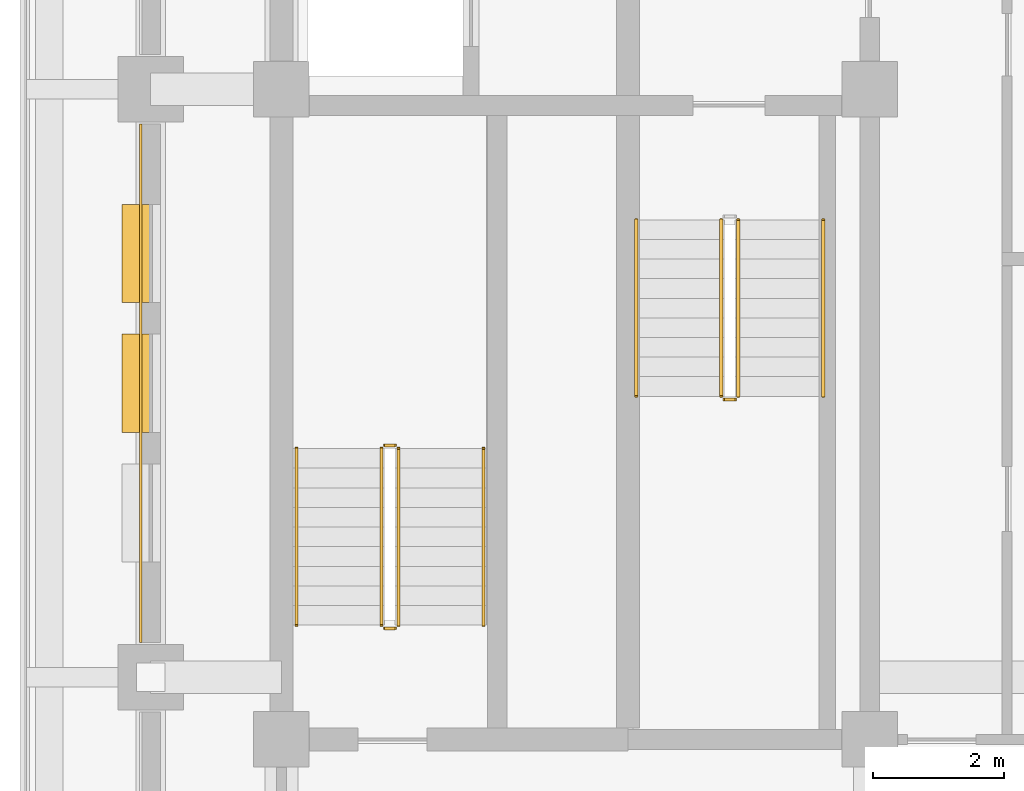
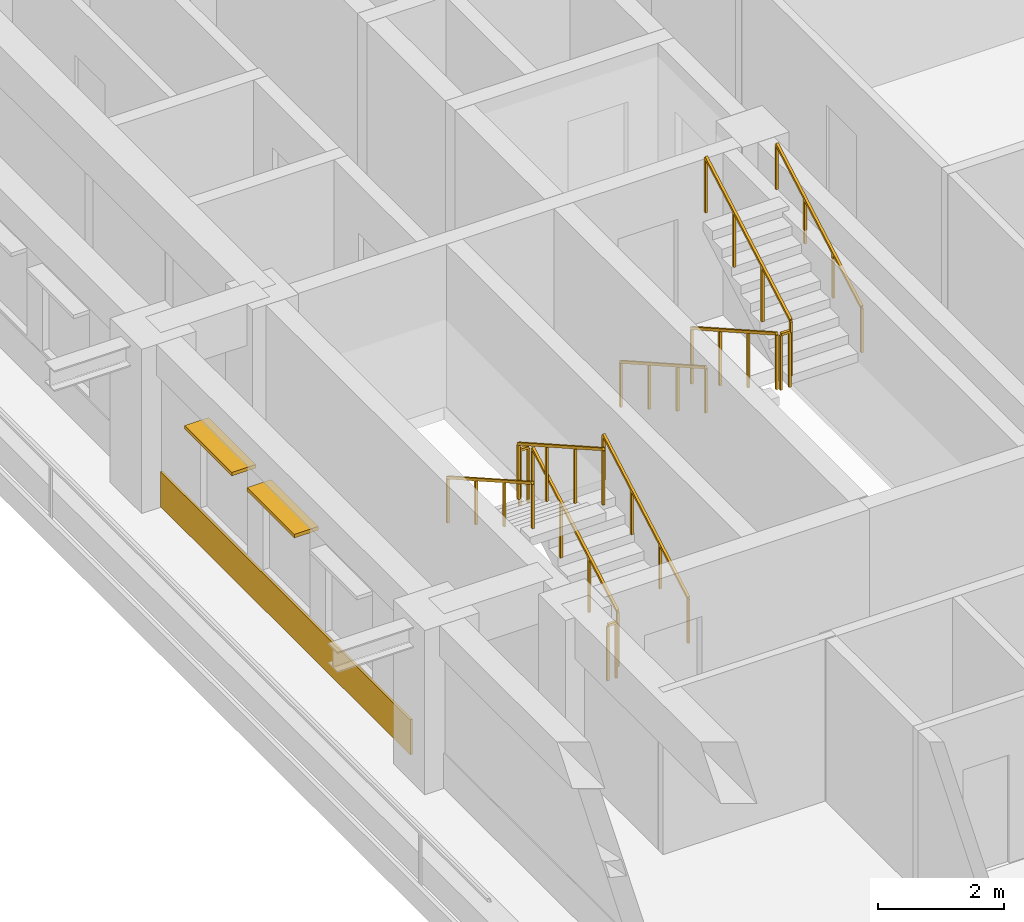
# One storey, part 9 of 13: 11 railings, 2 shading devices, 1 covering.
"""IFC4 building model written with IfcOpenShell, lengths in metres."""

from ifc_helpers import new_model, si_unit, direction, frame, frame_2d, origin, origin_2d, place, context, subcontext, project, spatial, rectangle, extrude, material, layer, layer_set, type_object, element, save


model = new_model("IFC4")

# Units and contexts
model_context = context("Model", 3, precision=1e-05, world=origin(), true_north=direction((0.0, 1.0)))
body_context = subcontext(model_context, "Body", "Model", "MODEL_VIEW")
ifc_project = project(units=[si_unit("LENGTHUNIT", "METRE"), si_unit("AREAUNIT", "SQUARE_METRE"), si_unit("VOLUMEUNIT", "CUBIC_METRE"), si_unit("PLANEANGLEUNIT", "RADIAN"), si_unit("MASSUNIT", "GRAM", prefix="KILO")], contexts=[model_context])

# Site, building, storey
site_placement = place(None, origin())
site = spatial("IfcSite", under=ifc_project, at=site_placement, CompositionType="ELEMENT")
building_placement = place(site_placement, origin())
building = spatial("IfcBuilding", under=site, at=building_placement, Name="Zulmaris Gate Convention Tower", CompositionType="ELEMENT")
storey_placement = place(building_placement, frame((0.0, 0.0, 176.259765625)))
storey = spatial("IfcBuildingStorey", under=building, at=storey_placement, Name="L45", CompositionType="ELEMENT", Elevation=176.259765625)

# Covering
ifc_material_1 = material(Name="Precast concrete C40/50", Category="concrete")
ifc_layer_1 = layer(ifc_material_1, 0.0400390625, Name="Precast concrete C40/50")
ifc_layer_set_1 = layer_set([ifc_layer_1], Name="Precast concrete C40/50")
covering_type = type_object("IfcCoveringType", Name="CLAD-SPANDREL-PRECAST", PredefinedType="CLADDING", material=ifc_layer_set_1)
covering_placement = place(storey_placement, frame((-22.14990234375, -0.530029296875, 0.0), z_axis=(0.0, 0.0, 1.0), x_axis=(0.0, -1.0, 0.0)))
element("IfcCovering", 1, at=covering_placement, inside=storey, type_object=covering_type, Name="CLD-L45-W-1_0", PredefinedType="CLADDING", context=body_context, shape_type="SweptSolid", body=[
    extrude(rectangle(XDim=7.93994140625, YDim=0.0400390625, at=frame_2d((3.969970703125, 0.0))), origin(), (0.0, 0.0, 1.0), 0.679931640625),
])

# Railings
ifc_material_2 = material(Name="Painted Galvanised Steel", Category="steel")
railing_type_1 = type_object("IfcRailingType", Name="RL-STG-1150", PredefinedType="GUARDRAIL", material=ifc_material_2)
railing_1_placement = place(storey_placement, frame((-13.27001953125, -2.0, 0.169921875)))
element("IfcRailing", 2, at=railing_1_placement, inside=storey, type_object=railing_type_1, Name="L45 ST-1 stair guard 1", PredefinedType="GUARDRAIL", context=body_context, shape_type="SweptSolid", body=[
    extrude(rectangle(XDim=0.048095703125, YDim=0.048095703125, at=origin_2d()), frame((0.0, 0.0, 1.076171875), z_axis=(0.0, -0.869980566543, 0.493086010588), x_axis=(1.0, 0.0, 0.0)), (0.0, 0.0, 1.0), 3.103515625),
    extrude(rectangle(XDim=0.0419921875, YDim=0.0419921875, at=origin_2d()), origin(), (0.0, 0.0, 1.0), 1.052001953125),
    extrude(rectangle(XDim=0.0419921875, YDim=0.0419921875, at=origin_2d()), frame((0.0, -0.89990234375, 0.510009765625)), (0.0, 0.0, 1.0), 1.052001953125),
    extrude(rectangle(XDim=0.0419921875, YDim=0.0419921875, at=origin_2d()), frame((0.0, -1.800048828125, 1.020263671875)), (0.0, 0.0, 1.0), 1.052001953125),
    extrude(rectangle(XDim=0.0419921875, YDim=0.0419921875, at=origin_2d()), frame((0.0, -2.699951171875, 1.5302734375)), (0.0, 0.0, 1.0), 1.052001953125),
])
railing_2_placement = place(storey_placement, frame((-13.219970703125, -4.75, 1.7001953125)))
element("IfcRailing", 3, at=railing_2_placement, inside=storey, type_object=railing_type_1, Name="L45 ST-1 stair guard 2", PredefinedType="GUARDRAIL", context=body_context, shape_type="SweptSolid", body=[
    extrude(rectangle(XDim=0.048095703125, YDim=0.048095703125, at=origin_2d()), frame((0.0, 0.0, 1.076171875), z_axis=(1.0, 0.0, 0.0), x_axis=(0.0, 1.0, 0.0)), (0.0, 0.0, 1.0), 0.159912109375),
    extrude(rectangle(XDim=0.0419921875, YDim=0.0419921875, at=origin_2d()), origin(), (0.0, 0.0, 1.0), 1.052001953125),
    extrude(rectangle(XDim=0.0419921875, YDim=0.0419921875, at=origin_2d()), frame((0.159912109375, 0.0, 0.0)), (0.0, 0.0, 1.0), 1.052001953125),
])
railing_3_placement = place(storey_placement, frame((-13.010009765625, -4.699951171875, 1.8701171875)))
element("IfcRailing", 4, at=railing_3_placement, inside=storey, type_object=railing_type_1, Name="L45 ST-1 stair guard 3", PredefinedType="GUARDRAIL", context=body_context, shape_type="SweptSolid", body=[
    extrude(rectangle(XDim=0.048095703125, YDim=0.048095703125, at=origin_2d()), frame((0.0, 0.0, 1.076171875), z_axis=(0.0, 0.870014312096, 0.49302646658), x_axis=(-1.0, 0.0, 0.0)), (0.0, 0.0, 1.0), 3.103271484375),
    extrude(rectangle(XDim=0.0419921875, YDim=0.0419921875, at=origin_2d()), origin(), (0.0, 0.0, 1.0), 1.052001953125),
    extrude(rectangle(XDim=0.0419921875, YDim=0.0419921875, at=origin_2d()), frame((0.0, 0.89990234375, 0.510009765625)), (0.0, 0.0, 1.0), 1.052001953125),
    extrude(rectangle(XDim=0.0419921875, YDim=0.0419921875, at=origin_2d()), frame((0.0, 1.800048828125, 1.02001953125)), (0.0, 0.0, 1.0), 1.052001953125),
    extrude(rectangle(XDim=0.0419921875, YDim=0.0419921875, at=origin_2d()), frame((0.0, 2.699951171875, 1.530029296875)), (0.0, 0.0, 1.0), 1.052001953125),
])
railing_4_placement = place(storey_placement, frame((-18.2099609375, -8.199951171875, 0.169921875)))
element("IfcRailing", 5, at=railing_4_placement, inside=storey, type_object=railing_type_1, Name="L45 ST-3 stair guard 1", PredefinedType="GUARDRAIL", context=body_context, shape_type="SweptSolid", body=[
    extrude(rectangle(XDim=0.048095703125, YDim=0.048095703125, at=origin_2d()), frame((0.0, 0.0, 1.076171875), z_axis=(0.0, 0.869980566543, 0.493086010588), x_axis=(-1.0, 0.0, 0.0)), (0.0, 0.0, 1.0), 3.103515625),
    extrude(rectangle(XDim=0.0419921875, YDim=0.0419921875, at=origin_2d()), origin(), (0.0, 0.0, 1.0), 1.052001953125),
    extrude(rectangle(XDim=0.0419921875, YDim=0.0419921875, at=origin_2d()), frame((0.0, 0.89990234375, 0.510009765625)), (0.0, 0.0, 1.0), 1.052001953125),
    extrude(rectangle(XDim=0.0419921875, YDim=0.0419921875, at=origin_2d()), frame((0.0, 1.800048828125, 1.020263671875)), (0.0, 0.0, 1.0), 1.052001953125),
    extrude(rectangle(XDim=0.0419921875, YDim=0.0419921875, at=origin_2d()), frame((0.0, 2.699951171875, 1.5302734375)), (0.0, 0.0, 1.0), 1.052001953125),
])
railing_5_placement = place(storey_placement, frame((-18.260009765625, -5.449951171875, 1.7001953125)))
element("IfcRailing", 6, at=railing_5_placement, inside=storey, type_object=railing_type_1, Name="L45 ST-3 stair guard 2", PredefinedType="GUARDRAIL", context=body_context, shape_type="SweptSolid", body=[
    extrude(rectangle(XDim=0.048095703125, YDim=0.048095703125, at=origin_2d()), frame((0.0, 0.0, 1.076171875), z_axis=(-1.0, 0.0, 0.0), x_axis=(0.0, -1.0, 0.0)), (0.0, 0.0, 1.0), 0.159912109375),
    extrude(rectangle(XDim=0.0419921875, YDim=0.0419921875, at=origin_2d()), origin(), (0.0, 0.0, 1.0), 1.052001953125),
    extrude(rectangle(XDim=0.0419921875, YDim=0.0419921875, at=origin_2d()), frame((-0.159912109375, 0.0, 0.0)), (0.0, 0.0, 1.0), 1.052001953125),
])
railing_6_placement = place(storey_placement, frame((-18.469970703125, -5.5, 1.8701171875)))
element("IfcRailing", 7, at=railing_6_placement, inside=storey, type_object=railing_type_1, Name="L45 ST-3 stair guard 3", PredefinedType="GUARDRAIL", context=body_context, shape_type="SweptSolid", body=[
    extrude(rectangle(XDim=0.048095703125, YDim=0.048095703125, at=origin_2d()), frame((0.0, 0.0, 1.076171875), z_axis=(0.0, -0.870014312096, 0.49302646658), x_axis=(1.0, 0.0, 0.0)), (0.0, 0.0, 1.0), 3.103271484375),
    extrude(rectangle(XDim=0.0419921875, YDim=0.0419921875, at=origin_2d()), origin(), (0.0, 0.0, 1.0), 1.052001953125),
    extrude(rectangle(XDim=0.0419921875, YDim=0.0419921875, at=origin_2d()), frame((0.0, -0.89990234375, 0.510009765625)), (0.0, 0.0, 1.0), 1.052001953125),
    extrude(rectangle(XDim=0.0419921875, YDim=0.0419921875, at=origin_2d()), frame((0.0, -1.800048828125, 1.02001953125)), (0.0, 0.0, 1.0), 1.052001953125),
    extrude(rectangle(XDim=0.0419921875, YDim=0.0419921875, at=origin_2d()), frame((0.0, -2.699951171875, 1.530029296875)), (0.0, 0.0, 1.0), 1.052001953125),
])
railing_7_placement = place(storey_placement, frame((-18.260009765625, -8.25, 0.0)))
element("IfcRailing", 8, at=railing_7_placement, inside=storey, type_object=railing_type_1, Name="L45 ST-3 stair guard 4", PredefinedType="GUARDRAIL", context=body_context, shape_type="SweptSolid", body=[
    extrude(rectangle(XDim=0.048095703125, YDim=0.048095703125, at=origin_2d()), frame((0.0, 0.0, 1.076171875), z_axis=(-1.0, 0.0, 0.0), x_axis=(0.0, -1.0, 0.0)), (0.0, 0.0, 1.0), 0.159912109375),
    extrude(rectangle(XDim=0.0419921875, YDim=0.0419921875, at=origin_2d()), origin(), (0.0, 0.0, 1.0), 1.052001953125),
    extrude(rectangle(XDim=0.0419921875, YDim=0.0419921875, at=origin_2d()), frame((-0.159912109375, 0.0, 0.0)), (0.0, 0.0, 1.0), 1.052001953125),
])
ifc_material_3 = material(Name="Brushed Stainless Steel", Category="steel")
railing_type_2 = type_object("IfcRailingType", Name="RL-STH-900", PredefinedType="HANDRAIL", material=ifc_material_3)
railing_8_placement = place(storey_placement, frame((-14.570068359375, -2.0, 0.169921875)))
element("IfcRailing", 9, at=railing_8_placement, inside=storey, type_object=railing_type_2, Name="L45 ST-1 stair handrail 1", PredefinedType="HANDRAIL", context=body_context, shape_type="SweptSolid", body=[
    extrude(rectangle(XDim=0.048095703125, YDim=0.048095703125, at=origin_2d()), frame((0.0, 0.0, 0.8759765625), z_axis=(0.0, -0.869980566543, 0.493086010588), x_axis=(1.0, 0.0, 0.0)), (0.0, 0.0, 1.0), 3.103515625),
    extrude(rectangle(XDim=0.0419921875, YDim=0.0419921875, at=origin_2d()), origin(), (0.0, 0.0, 1.0), 0.851806640625),
    extrude(rectangle(XDim=0.0419921875, YDim=0.0419921875, at=origin_2d()), frame((0.0, -0.89990234375, 0.510009765625)), (0.0, 0.0, 1.0), 0.851806640625),
    extrude(rectangle(XDim=0.0419921875, YDim=0.0419921875, at=origin_2d()), frame((0.0, -1.800048828125, 1.020263671875)), (0.0, 0.0, 1.0), 0.851806640625),
    extrude(rectangle(XDim=0.0419921875, YDim=0.0419921875, at=origin_2d()), frame((0.0, -2.699951171875, 1.5302734375)), (0.0, 0.0, 1.0), 0.851806640625),
])
railing_9_placement = place(storey_placement, frame((-11.7099609375, -4.699951171875, 1.8701171875)))
element("IfcRailing", 10, at=railing_9_placement, inside=storey, type_object=railing_type_2, Name="L45 ST-1 stair handrail 2", PredefinedType="HANDRAIL", context=body_context, shape_type="SweptSolid", body=[
    extrude(rectangle(XDim=0.048095703125, YDim=0.048095703125, at=origin_2d()), frame((0.0, 0.0, 0.8759765625), z_axis=(0.0, 0.870014312096, 0.49302646658), x_axis=(-1.0, 0.0, 0.0)), (0.0, 0.0, 1.0), 3.103271484375),
    extrude(rectangle(XDim=0.0419921875, YDim=0.0419921875, at=origin_2d()), origin(), (0.0, 0.0, 1.0), 0.851806640625),
    extrude(rectangle(XDim=0.0419921875, YDim=0.0419921875, at=origin_2d()), frame((0.0, 0.89990234375, 0.510009765625)), (0.0, 0.0, 1.0), 0.851806640625),
    extrude(rectangle(XDim=0.0419921875, YDim=0.0419921875, at=origin_2d()), frame((0.0, 1.800048828125, 1.02001953125)), (0.0, 0.0, 1.0), 0.851806640625),
    extrude(rectangle(XDim=0.0419921875, YDim=0.0419921875, at=origin_2d()), frame((0.0, 2.699951171875, 1.530029296875)), (0.0, 0.0, 1.0), 0.851806640625),
])
railing_10_placement = place(storey_placement, frame((-16.909912109375, -8.199951171875, 0.169921875)))
element("IfcRailing", 11, at=railing_10_placement, inside=storey, type_object=railing_type_2, Name="L45 ST-3 stair handrail 1", PredefinedType="HANDRAIL", context=body_context, shape_type="SweptSolid", body=[
    extrude(rectangle(XDim=0.048095703125, YDim=0.048095703125, at=origin_2d()), frame((0.0, 0.0, 0.8759765625), z_axis=(0.0, 0.869980566543, 0.493086010588), x_axis=(-1.0, 0.0, 0.0)), (0.0, 0.0, 1.0), 3.103515625),
    extrude(rectangle(XDim=0.0419921875, YDim=0.0419921875, at=origin_2d()), origin(), (0.0, 0.0, 1.0), 0.851806640625),
    extrude(rectangle(XDim=0.0419921875, YDim=0.0419921875, at=origin_2d()), frame((0.0, 0.89990234375, 0.510009765625)), (0.0, 0.0, 1.0), 0.851806640625),
    extrude(rectangle(XDim=0.0419921875, YDim=0.0419921875, at=origin_2d()), frame((0.0, 1.800048828125, 1.020263671875)), (0.0, 0.0, 1.0), 0.851806640625),
    extrude(rectangle(XDim=0.0419921875, YDim=0.0419921875, at=origin_2d()), frame((0.0, 2.699951171875, 1.5302734375)), (0.0, 0.0, 1.0), 0.851806640625),
])
railing_11_placement = place(storey_placement, frame((-19.77001953125, -5.5, 1.8701171875)))
element("IfcRailing", 12, at=railing_11_placement, inside=storey, type_object=railing_type_2, Name="L45 ST-3 stair handrail 2", PredefinedType="HANDRAIL", context=body_context, shape_type="SweptSolid", body=[
    extrude(rectangle(XDim=0.048095703125, YDim=0.048095703125, at=origin_2d()), frame((0.0, 0.0, 0.8759765625), z_axis=(0.0, -0.870014312096, 0.49302646658), x_axis=(1.0, 0.0, 0.0)), (0.0, 0.0, 1.0), 3.103271484375),
    extrude(rectangle(XDim=0.0419921875, YDim=0.0419921875, at=origin_2d()), origin(), (0.0, 0.0, 1.0), 0.851806640625),
    extrude(rectangle(XDim=0.0419921875, YDim=0.0419921875, at=origin_2d()), frame((0.0, -0.89990234375, 0.510009765625)), (0.0, 0.0, 1.0), 0.851806640625),
    extrude(rectangle(XDim=0.0419921875, YDim=0.0419921875, at=origin_2d()), frame((0.0, -1.800048828125, 1.02001953125)), (0.0, 0.0, 1.0), 0.851806640625),
    extrude(rectangle(XDim=0.0419921875, YDim=0.0419921875, at=origin_2d()), frame((0.0, -2.699951171875, 1.530029296875)), (0.0, 0.0, 1.0), 0.851806640625),
])

# Shading devices
ifc_material_4 = material(Name="Glazed Ceramic Terracotta", Category="masonry")
ifc_layer_2 = layer(ifc_material_4, 0.070068359375, Name="Glazed Ceramic Terracotta")
ifc_layer_set_2 = layer_set([ifc_layer_2], Name="Glazed Ceramic Terracotta")
shading_device_type = type_object("IfcShadingDeviceType", Name="SHD-SUNSHADE-TC", PredefinedType="AWNING", material=ifc_layer_set_2)
for number, where, z_axis, x_axis, name in (
    (13, (-22.219970703125, -1.764892578125, 2.35009765625), (0.0, 0.0, 1.0), (0.0, -1.0, 0.0), "SHD-EW-L45-W-1_0-1"),
    (14, (-22.219970703125, -3.75, 2.35009765625), (0.0, 0.0, 1.0), (0.0, -1.0, 0.0), "SHD-EW-L45-W-1_0-2"),
):
    element("IfcShadingDevice", number, at=place(storey_placement, frame(where, z_axis=z_axis, x_axis=x_axis)), inside=storey, type_object=shading_device_type, Name=name, PredefinedType="AWNING", context=body_context, shape_type="SweptSolid", body=[
        extrude(rectangle(XDim=1.5, YDim=0.43994140625, at=frame_2d((0.75, 0.0))), origin(), (0.0, 0.0, 1.0), 0.06982421875),
    ])

save(model, "model.ifc")
